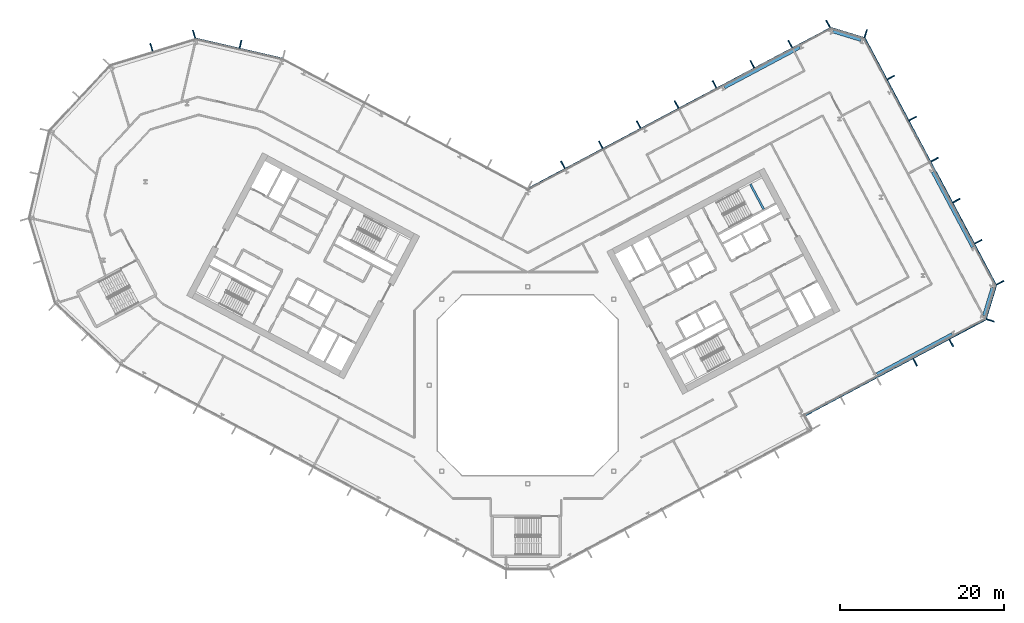
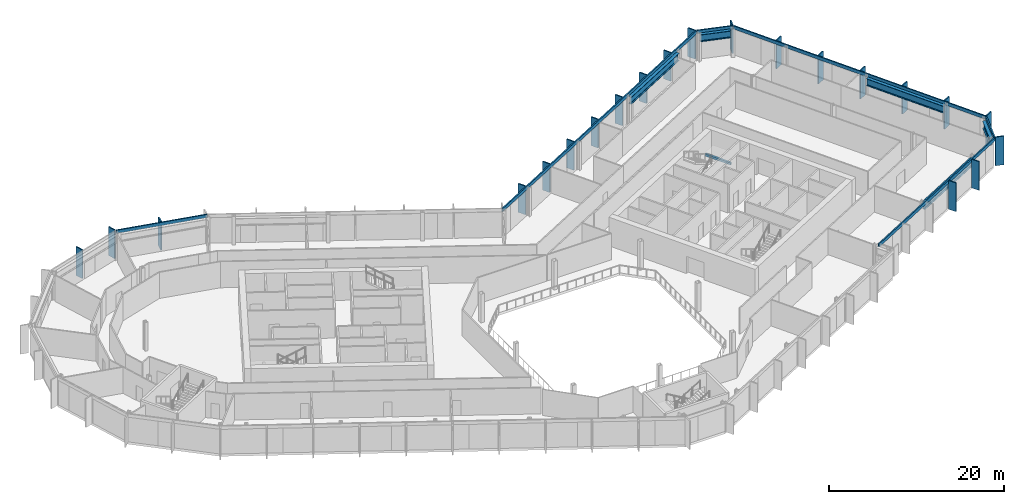
# One storey, part 10 of 28: 27 members, 6 beams, 7 elements without a shape of their own.
"""IFC4 building model written with IfcOpenShell, lengths in metres."""

from ifc_helpers import new_model, si_unit, direction, frame, origin, origin_2d, place, context, subcontext, project, spatial, rectangle, i_section, extrude, material, layer, layer_set, material_profile, profile_set, type_object, element, aggregate, save


model = new_model("IFC4")

# Units and contexts
model_context = context("Model", 3, precision=1e-05, world=origin(), true_north=direction((0.0, 1.0)))
body_context = subcontext(model_context, "Body", "Model", "MODEL_VIEW")
ifc_project = project(units=[si_unit("LENGTHUNIT", "METRE"), si_unit("AREAUNIT", "SQUARE_METRE"), si_unit("VOLUMEUNIT", "CUBIC_METRE"), si_unit("PLANEANGLEUNIT", "RADIAN"), si_unit("MASSUNIT", "GRAM", prefix="KILO")], contexts=[model_context])

# Site, building, storey
site_placement = place(None, origin())
site = spatial("IfcSite", under=ifc_project, at=site_placement, CompositionType="ELEMENT")
building_placement = place(site_placement, origin())
building = spatial("IfcBuilding", under=site, at=building_placement, Name="Cormorant Relay Tower", CompositionType="ELEMENT")
storey_placement = place(building_placement, frame((0.0, 0.0, 130.199951171875)))
storey = spatial("IfcBuildingStorey", under=building, at=storey_placement, Name="L26", CompositionType="ELEMENT", Elevation=130.199951171875)

# Curtain wall, members
ifc_material_1 = material(Name="Aluminium 6063-T6 anodised bronze", Category="aluminium")
ifc_layer = layer(ifc_material_1, 0.199951171875)
ifc_layer_set = layer_set([ifc_layer], Name="CW1 unitised bronze curtain wall with vertical fins")
curtain_wall_type = type_object("IfcCurtainWallType", Name="CW1 unitised bronze curtain wall with vertical fins", PredefinedType="NOTDEFINED", material=ifc_layer_set)
curtain_wall_1_placement = place(storey_placement, origin())
curtain_wall_1 = element("IfcCurtainWall", 1, at=curtain_wall_1_placement, inside=storey, type_object=curtain_wall_type, Name="CW1 curtain wall 4", PredefinedType="NOTDEFINED")
ifc_material_2 = material(Name="Aluminium 6063-T6 anodised bronze", Category="aluminium")
ifc_material_profile_1 = material_profile(ifc_material_2, rectangle(XDim=0.14990234375, YDim=1.0, at=origin_2d()), Name="AL 150x1000")
ifc_profile_set_1 = profile_set([ifc_material_profile_1], Name="Aluminium 6063-T6 anodised bronze")
member_type_1 = type_object("IfcMemberType", Name="CW1 bronze fin mullion 150 x 1000", PredefinedType="MULLION", material=ifc_profile_set_1)
member_1_placement = place(storey_placement, frame((47.21533203125, 2.793212890625, 0.0), z_axis=(0.0, 0.0, 1.0), x_axis=(0.882947592859, 0.469471562786, 0.0)))
member_1 = element("IfcMember", 2, at=member_1_placement, type_object=member_type_1, Name="CW1 fin 4.4", PredefinedType="MULLION", context=body_context, shape_type="SweptSolid", body=[
    extrude(rectangle(XDim=0.14990234375, YDim=1.0, at=origin_2d()), origin(), (0.0, 0.0, 1.0), 4.0),
])
member_2_placement = place(storey_placement, frame((51.630126953125, 5.140625, 0.0), z_axis=(0.0, 0.0, 1.0), x_axis=(0.882947592859, 0.469471562786, 0.0)))
member_2 = element("IfcMember", 3, at=member_2_placement, type_object=member_type_1, Name="CW1 fin 4.5", PredefinedType="MULLION", context=body_context, shape_type="SweptSolid", body=[
    extrude(rectangle(XDim=0.14990234375, YDim=1.0, at=origin_2d()), origin(), (0.0, 0.0, 1.0), 4.0),
])

# Curtain wall, member
curtain_wall_2_placement = place(storey_placement, origin())
curtain_wall_2 = element("IfcCurtainWall", 4, at=curtain_wall_2_placement, inside=storey, type_object=curtain_wall_type, Name="CW1 curtain wall 5", PredefinedType="NOTDEFINED")
member_3_placement = place(storey_placement, frame((56.385498046875, 7.9013671875, 0.0), z_axis=(0.0, 0.0, 1.0), x_axis=(0.292371704723, 0.956304755963, 0.0)))
member_3 = element("IfcMember", 5, at=member_3_placement, type_object=member_type_1, Name="CW1 fin 5.1", PredefinedType="MULLION", context=body_context, shape_type="SweptSolid", body=[
    extrude(rectangle(XDim=0.14990234375, YDim=1.0, at=origin_2d()), origin(), (0.0, 0.0, 1.0), 4.0),
])

# Curtain wall, members
curtain_wall_3_placement = place(storey_placement, origin())
curtain_wall_3 = element("IfcCurtainWall", 6, at=curtain_wall_3_placement, inside=storey, type_object=curtain_wall_type, Name="CW1 curtain wall 6", PredefinedType="NOTDEFINED")
member_4_placement = place(storey_placement, frame((57.57470703125, 12.491943359375, 0.0), z_axis=(0.0, 0.0, 1.0), x_axis=(-0.469471562786, 0.882947592859, 0.0)))
member_4 = element("IfcMember", 7, at=member_4_placement, type_object=member_type_1, Name="CW1 fin 6.1", PredefinedType="MULLION", context=body_context, shape_type="SweptSolid", body=[
    extrude(rectangle(XDim=0.14990234375, YDim=1.0, at=origin_2d()), origin(), (0.0, 0.0, 1.0), 4.0),
])
member_5_placement = place(storey_placement, frame((54.914306640625, 17.4951171875, 0.0), z_axis=(0.0, 0.0, 1.0), x_axis=(-0.469471562786, 0.882947592859, 0.0)))
member_5 = element("IfcMember", 8, at=member_5_placement, type_object=member_type_1, Name="CW1 fin 6.2", PredefinedType="MULLION", context=body_context, shape_type="SweptSolid", body=[
    extrude(rectangle(XDim=0.14990234375, YDim=1.0, at=origin_2d()), origin(), (0.0, 0.0, 1.0), 4.0),
])
member_6_placement = place(storey_placement, frame((52.25390625, 22.49853515625, 0.0), z_axis=(0.0, 0.0, 1.0), x_axis=(-0.469471562786, 0.882947592859, 0.0)))
member_6 = element("IfcMember", 9, at=member_6_placement, type_object=member_type_1, Name="CW1 fin 6.3", PredefinedType="MULLION", context=body_context, shape_type="SweptSolid", body=[
    extrude(rectangle(XDim=0.14990234375, YDim=1.0, at=origin_2d()), origin(), (0.0, 0.0, 1.0), 4.0),
])
member_7_placement = place(storey_placement, frame((49.59375, 27.501953125, 0.0), z_axis=(0.0, 0.0, 1.0), x_axis=(-0.469471562786, 0.882947592859, 0.0)))
member_7 = element("IfcMember", 10, at=member_7_placement, type_object=member_type_1, Name="CW1 fin 6.4", PredefinedType="MULLION", context=body_context, shape_type="SweptSolid", body=[
    extrude(rectangle(XDim=0.14990234375, YDim=1.0, at=origin_2d()), origin(), (0.0, 0.0, 1.0), 4.0),
])
member_8_placement = place(storey_placement, frame((46.933349609375, 32.50537109375, 0.0), z_axis=(0.0, 0.0, 1.0), x_axis=(-0.469471562786, 0.882947592859, 0.0)))
member_8 = element("IfcMember", 11, at=member_8_placement, type_object=member_type_1, Name="CW1 fin 6.5", PredefinedType="MULLION", context=body_context, shape_type="SweptSolid", body=[
    extrude(rectangle(XDim=0.14990234375, YDim=1.0, at=origin_2d()), origin(), (0.0, 0.0, 1.0), 4.0),
])
member_9_placement = place(storey_placement, frame((44.27294921875, 37.5087890625, 0.0), z_axis=(0.0, 0.0, 1.0), x_axis=(-0.469471562786, 0.882947592859, 0.0)))
member_9 = element("IfcMember", 12, at=member_9_placement, type_object=member_type_1, Name="CW1 fin 6.6", PredefinedType="MULLION", context=body_context, shape_type="SweptSolid", body=[
    extrude(rectangle(XDim=0.14990234375, YDim=1.0, at=origin_2d()), origin(), (0.0, 0.0, 1.0), 4.0),
])

# Curtain wall, member
curtain_wall_4_placement = place(storey_placement, origin())
curtain_wall_4 = element("IfcCurtainWall", 13, at=curtain_wall_4_placement, inside=storey, type_object=curtain_wall_type, Name="CW1 curtain wall 7", PredefinedType="NOTDEFINED")
member_10_placement = place(storey_placement, frame((41.19921875, 42.852783203125, 0.0), z_axis=(0.0, 0.0, 1.0), x_axis=(-0.956304755963, 0.292371704723, 0.0)))
member_10 = element("IfcMember", 14, at=member_10_placement, type_object=member_type_1, Name="CW1 fin 7.1", PredefinedType="MULLION", context=body_context, shape_type="SweptSolid", body=[
    extrude(rectangle(XDim=0.14990234375, YDim=1.0, at=origin_2d()), origin(), (0.0, 0.0, 1.0), 4.0),
])

# Curtain wall, members
curtain_wall_5_placement = place(storey_placement, origin())
curtain_wall_5 = element("IfcCurtainWall", 15, at=curtain_wall_5_placement, inside=storey, type_object=curtain_wall_type, Name="CW1 curtain wall 8", PredefinedType="NOTDEFINED")
member_11_placement = place(storey_placement, frame((36.608642578125, 44.0419921875, 0.0), z_axis=(0.0, 0.0, 1.0), x_axis=(-0.882947592859, -0.469471562786, 0.0)))
member_11 = element("IfcMember", 16, at=member_11_placement, type_object=member_type_1, Name="CW1 fin 8.1", PredefinedType="MULLION", context=body_context, shape_type="SweptSolid", body=[
    extrude(rectangle(XDim=0.14990234375, YDim=1.0, at=origin_2d()), origin(), (0.0, 0.0, 1.0), 4.0),
])
member_12_placement = place(storey_placement, frame((31.991455078125, 41.5869140625, 0.0), z_axis=(0.0, 0.0, 1.0), x_axis=(-0.882947592859, -0.469471562786, 0.0)))
member_12 = element("IfcMember", 17, at=member_12_placement, type_object=member_type_1, Name="CW1 fin 8.2", PredefinedType="MULLION", context=body_context, shape_type="SweptSolid", body=[
    extrude(rectangle(XDim=0.14990234375, YDim=1.0, at=origin_2d()), origin(), (0.0, 0.0, 1.0), 4.0),
])
member_13_placement = place(storey_placement, frame((27.37451171875, 39.132080078125, 0.0), z_axis=(0.0, 0.0, 1.0), x_axis=(-0.882947592859, -0.469471562786, 0.0)))
member_13 = element("IfcMember", 18, at=member_13_placement, type_object=member_type_1, Name="CW1 fin 8.3", PredefinedType="MULLION", context=body_context, shape_type="SweptSolid", body=[
    extrude(rectangle(XDim=0.14990234375, YDim=1.0, at=origin_2d()), origin(), (0.0, 0.0, 1.0), 4.0),
])
member_14_placement = place(storey_placement, frame((22.757080078125, 36.677001953125, 0.0), z_axis=(0.0, 0.0, 1.0), x_axis=(-0.882947592859, -0.469471562786, 0.0)))
member_14 = element("IfcMember", 19, at=member_14_placement, type_object=member_type_1, Name="CW1 fin 8.4", PredefinedType="MULLION", context=body_context, shape_type="SweptSolid", body=[
    extrude(rectangle(XDim=0.14990234375, YDim=1.0, at=origin_2d()), origin(), (0.0, 0.0, 1.0), 4.0),
])
member_15_placement = place(storey_placement, frame((18.139892578125, 34.221923828125, 0.0), z_axis=(0.0, 0.0, 1.0), x_axis=(-0.882947592859, -0.469471562786, 0.0)))
member_15 = element("IfcMember", 20, at=member_15_placement, type_object=member_type_1, Name="CW1 fin 8.5", PredefinedType="MULLION", context=body_context, shape_type="SweptSolid", body=[
    extrude(rectangle(XDim=0.14990234375, YDim=1.0, at=origin_2d()), origin(), (0.0, 0.0, 1.0), 4.0),
])
member_16_placement = place(storey_placement, frame((13.52294921875, 31.76708984375, 0.0), z_axis=(0.0, 0.0, 1.0), x_axis=(-0.882947592859, -0.469471562786, 0.0)))
member_16 = element("IfcMember", 21, at=member_16_placement, type_object=member_type_1, Name="CW1 fin 8.6", PredefinedType="MULLION", context=body_context, shape_type="SweptSolid", body=[
    extrude(rectangle(XDim=0.14990234375, YDim=1.0, at=origin_2d()), origin(), (0.0, 0.0, 1.0), 4.0),
])
member_17_placement = place(storey_placement, frame((8.90576171875, 29.31201171875, 0.0), z_axis=(0.0, 0.0, 1.0), x_axis=(-0.882947592859, -0.469471562786, 0.0)))
member_17 = element("IfcMember", 22, at=member_17_placement, type_object=member_type_1, Name="CW1 fin 8.7", PredefinedType="MULLION", context=body_context, shape_type="SweptSolid", body=[
    extrude(rectangle(XDim=0.14990234375, YDim=1.0, at=origin_2d()), origin(), (0.0, 0.0, 1.0), 4.0),
])
member_18_placement = place(storey_placement, frame((4.28857421875, 26.85693359375, 0.0), z_axis=(0.0, 0.0, 1.0), x_axis=(-0.882947592859, -0.469471562786, 0.0)))
member_18 = element("IfcMember", 23, at=member_18_placement, type_object=member_type_1, Name="CW1 fin 8.8", PredefinedType="MULLION", context=body_context, shape_type="SweptSolid", body=[
    extrude(rectangle(XDim=0.14990234375, YDim=1.0, at=origin_2d()), origin(), (0.0, 0.0, 1.0), 4.0),
])

# Curtain wall, member
curtain_wall_6_placement = place(storey_placement, origin())
curtain_wall_6 = element("IfcCurtainWall", 24, at=curtain_wall_6_placement, inside=storey, type_object=curtain_wall_type, Name="CW1 curtain wall 10", PredefinedType="NOTDEFINED")
member_19_placement = place(storey_placement, frame((-35.01220703125, 41.57275390625, 0.0), z_axis=(0.0, 0.0, 1.0), x_axis=(-0.974370064785, 0.224951054344, 0.0)))
member_19 = element("IfcMember", 25, at=member_19_placement, type_object=member_type_1, Name="CW1 fin 10.2", PredefinedType="MULLION", context=body_context, shape_type="SweptSolid", body=[
    extrude(rectangle(XDim=0.14990234375, YDim=1.0, at=origin_2d()), origin(), (0.0, 0.0, 1.0), 4.0),
])

# Curtain wall, members
curtain_wall_7_placement = place(storey_placement, origin())
curtain_wall_7 = element("IfcCurtainWall", 26, at=curtain_wall_7_placement, inside=storey, type_object=curtain_wall_type, Name="CW1 curtain wall 11", PredefinedType="NOTDEFINED")
member_20_placement = place(storey_placement, frame((-40.670166015625, 42.78271484375, 0.0), z_axis=(0.0, 0.0, 1.0), x_axis=(-0.956304755963, -0.292371704723, 0.0)))
member_20 = element("IfcMember", 27, at=member_20_placement, type_object=member_type_1, Name="CW1 fin 11.1", PredefinedType="MULLION", context=body_context, shape_type="SweptSolid", body=[
    extrude(rectangle(XDim=0.14990234375, YDim=1.0, at=origin_2d()), origin(), (0.0, 0.0, 1.0), 4.0),
])
member_21_placement = place(storey_placement, frame((-45.867919921875, 41.193603515625, 0.0), z_axis=(0.0, 0.0, 1.0), x_axis=(-0.956304755963, -0.292371704723, 0.0)))
member_21 = element("IfcMember", 28, at=member_21_placement, type_object=member_type_1, Name="CW1 fin 11.2", PredefinedType="MULLION", context=body_context, shape_type="SweptSolid", body=[
    extrude(rectangle(XDim=0.14990234375, YDim=1.0, at=origin_2d()), origin(), (0.0, 0.0, 1.0), 4.0),
])
aggregate(curtain_wall_7, [member_20, member_21])

# Member
ifc_material_3 = material(Name="Aluminium 6063-T6 anodised bronze", Category="aluminium")
ifc_material_profile_2 = material_profile(ifc_material_3, rectangle(XDim=0.159912109375, YDim=0.449951171875, at=origin_2d()), Name="AL 160x450")
ifc_profile_set_2 = profile_set([ifc_material_profile_2], Name="Aluminium 6063-T6 anodised bronze")
member_type_2 = type_object("IfcMemberType", Name="CW1 bronze transom 160 x 450", PredefinedType="USERDEFINED", material=ifc_profile_set_2)
member_22_placement = place(storey_placement, frame((33.69873046875, -3.73681640625, 3.775146484375), z_axis=(0.88294749795, 0.469471741284, 0.0), x_axis=(-0.469471741284, 0.88294749795, 0.0)))
member_22 = element("IfcMember", 29, at=member_22_placement, type_object=member_type_2, Name="CW1 transom 4", ObjectType="TRANSOM", PredefinedType="USERDEFINED", context=body_context, shape_type="SweptSolid", body=[
    extrude(rectangle(XDim=0.159912109375, YDim=0.449951171875, at=origin_2d()), origin(), (0.0, 0.0, 1.0), 25.0),
])

aggregate(curtain_wall_1, [member_1, member_2, member_22])

member_23_placement = place(storey_placement, frame((55.830810546875, 8.07080078125, 3.775146484375), z_axis=(0.292374957137, 0.956303761594, 0.0), x_axis=(-0.956303761594, 0.292374957137, 0.0)))
member_23 = element("IfcMember", 30, at=member_23_placement, type_object=member_type_2, Name="CW1 transom 5", ObjectType="TRANSOM", PredefinedType="USERDEFINED", context=body_context, shape_type="SweptSolid", body=[
    extrude(rectangle(XDim=0.159912109375, YDim=0.449951171875, at=origin_2d()), origin(), (0.0, 0.0, 1.0), 4.24267578125),
])

aggregate(curtain_wall_2, [member_3, member_23])

member_24_placement = place(storey_placement, frame((57.0625, 12.219482421875, 3.775146484375), z_axis=(-0.469468277635, 0.882949339597, 0.0), x_axis=(-0.882949339597, -0.469468277635, 0.0)))
member_24 = element("IfcMember", 31, at=member_24_placement, type_object=member_type_2, Name="CW1 transom 6", ObjectType="TRANSOM", PredefinedType="USERDEFINED", context=body_context, shape_type="SweptSolid", body=[
    extrude(rectangle(XDim=0.159912109375, YDim=0.449951171875, at=origin_2d()), origin(), (0.0, 0.0, 1.0), 34.0),
])

aggregate(curtain_wall_3, [member_4, member_5, member_6, member_7, member_8, member_9, member_24])

member_25_placement = place(storey_placement, frame((41.02978515625, 42.298095703125, 3.775146484375), z_axis=(-0.956303761594, 0.292374957137, 0.0), x_axis=(-0.292374957137, -0.956303761594, 0.0)))
member_25 = element("IfcMember", 32, at=member_25_placement, type_object=member_type_2, Name="CW1 transom 7", ObjectType="TRANSOM", PredefinedType="USERDEFINED", context=body_context, shape_type="SweptSolid", body=[
    extrude(rectangle(XDim=0.159912109375, YDim=0.449951171875, at=origin_2d()), origin(), (0.0, 0.0, 1.0), 4.24267578125),
])

aggregate(curtain_wall_4, [member_10, member_25])

member_26_placement = place(storey_placement, frame((36.881103515625, 43.52978515625, 3.775146484375), z_axis=(-0.88294882701, -0.469469241677, 0.0), x_axis=(0.469469241677, -0.88294882701, 0.0)))
member_26 = element("IfcMember", 33, at=member_26_placement, type_object=member_type_2, Name="CW1 transom 8", ObjectType="TRANSOM", PredefinedType="USERDEFINED", context=body_context, shape_type="SweptSolid", body=[
    extrude(rectangle(XDim=0.159912109375, YDim=0.449951171875, at=origin_2d()), origin(), (0.0, 0.0, 1.0), 41.834228515625),
])

aggregate(curtain_wall_5, [member_11, member_12, member_13, member_14, member_15, member_16, member_17, member_18, member_26])

member_27_placement = place(storey_placement, frame((-29.8466796875, 39.784912109375, 3.775146484375), z_axis=(-0.974365070969, 0.224972683844, 0.0), x_axis=(-0.224972683844, -0.974365070969, 0.0)))
member_27 = element("IfcMember", 34, at=member_27_placement, type_object=member_type_2, Name="CW1 transom 10", ObjectType="TRANSOM", PredefinedType="USERDEFINED", context=body_context, shape_type="SweptSolid", body=[
    extrude(rectangle(XDim=0.159912109375, YDim=0.449951171875, at=origin_2d()), origin(), (0.0, 0.0, 1.0), 10.870361328125),
])

aggregate(curtain_wall_6, [member_19, member_27])

# Beams
ifc_material_4 = material(Name="Steel ASTM A992 (Fy 345 MPa)", Category="steel")
ifc_material_profile_3 = material_profile(ifc_material_4, i_section(OverallWidth=0.4013671875, OverallDepth=1.000732421875, WebThickness=0.01904296875, FlangeThickness=0.0361328125, FilletRadius=0.02978515625, at=origin_2d()), Name="W1000x371")
ifc_profile_set_3 = profile_set([ifc_material_profile_3], Name="Steel ASTM A992 (Fy 345 MPa)")
beam_type_1 = type_object("IfcBeamType", Name="Spandrel W1000x371", PredefinedType="SPANDREL", material=ifc_profile_set_3)
beam_1_placement = place(storey_placement, frame((42.5595703125, 1.337890625, 3.1396484375), z_axis=(0.882955922346, 0.469455896963, 0.0), x_axis=(-0.469455896963, 0.882955922346, 0.0)))
element("IfcBeam", 35, at=beam_1_placement, inside=storey, type_object=beam_type_1, Name="Spandrel beam L26-004", PredefinedType="SPANDREL", context=body_context, shape_type="SweptSolid", body=[
    extrude(i_section(OverallWidth=0.4013671875, OverallDepth=1.000732421875, WebThickness=0.01904296875, FlangeThickness=0.0361328125, FilletRadius=0.02978515625, at=origin_2d()), origin(), (0.0, 0.0, 1.0), 10.388427734375),
])
beam_2_placement = place(storey_placement, frame((55.62548828125, 8.495849609375, 3.1396484375), z_axis=(0.29237248799, 0.956304516494, 0.0), x_axis=(-0.956304516494, 0.29237248799, 0.0)))
element("IfcBeam", 36, at=beam_2_placement, inside=storey, type_object=beam_type_1, Name="Spandrel beam L26-005", PredefinedType="SPANDREL", context=body_context, shape_type="SweptSolid", body=[
    extrude(i_section(OverallWidth=0.4013671875, OverallDepth=1.000732421875, WebThickness=0.01904296875, FlangeThickness=0.0361328125, FilletRadius=0.02978515625, at=origin_2d()), origin(), (0.0, 0.0, 1.0), 3.585693359375),
])
beam_3_placement = place(storey_placement, frame((54.24169921875, 16.841796875, 3.1396484375), z_axis=(-0.469474218299, 0.882946180893, 0.0), x_axis=(-0.882946180893, -0.469474218299, 0.0)))
element("IfcBeam", 37, at=beam_3_placement, inside=storey, type_object=beam_type_1, Name="Spandrel beam L26-006", PredefinedType="SPANDREL", context=body_context, shape_type="SweptSolid", body=[
    extrude(i_section(OverallWidth=0.4013671875, OverallDepth=1.000732421875, WebThickness=0.01904296875, FlangeThickness=0.0361328125, FilletRadius=0.02978515625, at=origin_2d()), origin(), (0.0, 0.0, 1.0), 10.388671875),
])
beam_4_placement = place(storey_placement, frame((40.605224609375, 42.0927734375, 3.1396484375), z_axis=(-0.956311914022, 0.292348290742, 0.0), x_axis=(-0.292348290742, -0.956311914022, 0.0)))
element("IfcBeam", 38, at=beam_4_placement, inside=storey, type_object=beam_type_1, Name="Spandrel beam L26-007", PredefinedType="SPANDREL", context=body_context, shape_type="SweptSolid", body=[
    extrude(i_section(OverallWidth=0.4013671875, OverallDepth=1.000732421875, WebThickness=0.01904296875, FlangeThickness=0.0361328125, FilletRadius=0.02978515625, at=origin_2d()), origin(), (0.0, 0.0, 1.0), 3.585205078125),
])
beam_5_placement = place(storey_placement, frame((33.141357421875, 41.17822265625, 3.1396484375), z_axis=(-0.882955922346, -0.469455896963, 0.0), x_axis=(0.469455896963, -0.882955922346, 0.0)))
element("IfcBeam", 39, at=beam_5_placement, inside=storey, type_object=beam_type_1, Name="Spandrel beam L26-008", PredefinedType="SPANDREL", context=body_context, shape_type="SweptSolid", body=[
    extrude(i_section(OverallWidth=0.4013671875, OverallDepth=1.000732421875, WebThickness=0.01904296875, FlangeThickness=0.0361328125, FilletRadius=0.02978515625, at=origin_2d()), origin(), (0.0, 0.0, 1.0), 10.388427734375),
])
ifc_material_5 = material(Name="Concrete 50 MPa", Category="concrete")
ifc_material_profile_4 = material_profile(ifc_material_5, rectangle(XDim=0.25, YDim=0.300048828125, at=origin_2d()), Name="RC 250x300")
ifc_profile_set_4 = profile_set([ifc_material_profile_4], Name="Concrete 50 MPa")
beam_type_2 = type_object("IfcBeamType", Name="Stair landing ledge beam 250x300", PredefinedType="BEAM", material=ifc_profile_set_4)
beam_6_placement = place(storey_placement, frame((28.755126953125, 21.4619140625, 1.650146484375), z_axis=(-0.469463917486, 0.882951657895, 0.0), x_axis=(-0.882951657895, -0.469463917486, 0.0)))
element("IfcBeam", 40, at=beam_6_placement, inside=storey, type_object=beam_type_2, Name="B2 landing ledge beam", PredefinedType="BEAM", context=body_context, shape_type="SweptSolid", body=[
    extrude(rectangle(XDim=0.25, YDim=0.300048828125, at=origin_2d()), origin(), (0.0, 0.0, 1.0), 3.449951171875),
])

save(model, "model.ifc")
